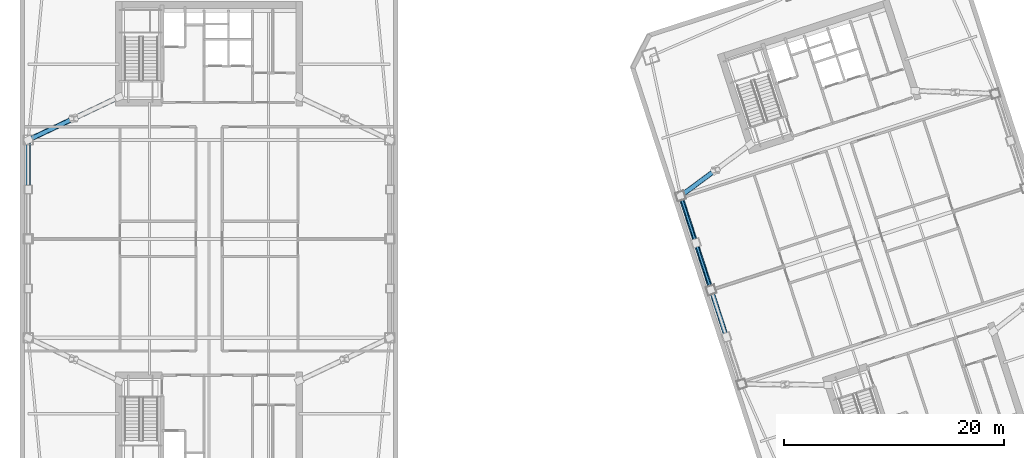
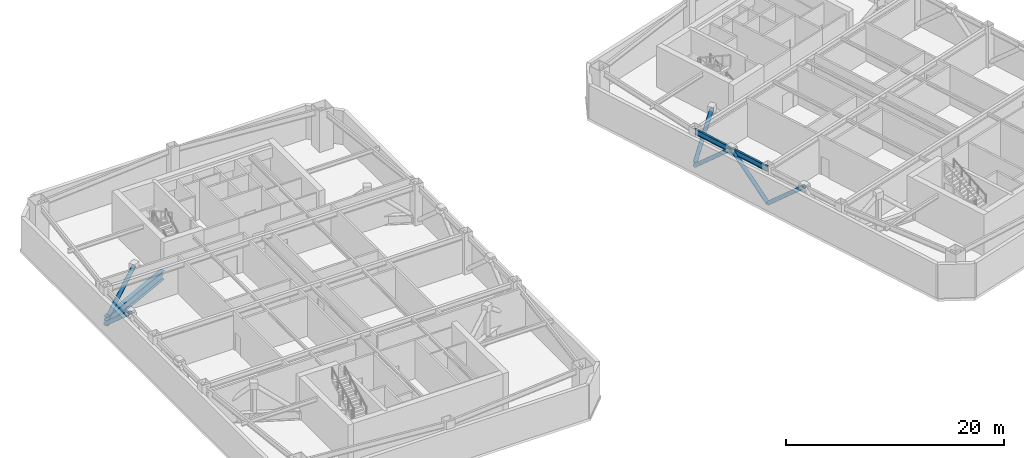
# One storey, part 4 of 17: 6 members, 2 beams.
"""IFC4 building model written with IfcOpenShell, lengths in metres."""

import ifcopenshell
import ifcopenshell.guid

model = None  # the IFC model being written
_history = None  # IfcOwnerHistory: only IFC2X3 demands one
_inside = {}  # id of a spatial element -> (the spatial element, [elements in it])
_under = {}  # id of a project, library or spatial element -> (it, [spatial elements below it])
_declared = {}  # id of a project -> (the project, [libraries it declares])
_typed = {}  # id of a type object -> (the type object, [elements of that type])
_made_of = {}  # id of a material, layer set ... -> (it, [elements and type objects made of it])


def new_model(schema):
    """Start an empty IFC model of exactly this schema.

    Asked for "IFC4X3", IfcOpenShell would pick the latest addendum, in which some entities
    have other attributes; the version numbers below select the first issue.
    IFC2X3 requires an IfcOwnerHistory on every rooted entity: one is made here for all.
    """
    global model, _history
    if schema == "IFC4X3":
        model = ifcopenshell.file(schema_version=(4, 3, 0, 0))
    else:
        model = ifcopenshell.file(schema=schema)
    _inside.clear()
    _under.clear()
    _declared.clear()
    _typed.clear()
    _made_of.clear()
    _history = None
    if model.schema == "IFC2X3":
        org = make("IfcOrganization", Name="unknown")
        user = make(
            "IfcPersonAndOrganization",
            ThePerson=make("IfcPerson", FamilyName="unknown"),
            TheOrganization=org,
        )
        app = make(
            "IfcApplication",
            ApplicationDeveloper=org,
            Version="unknown",
            ApplicationFullName="unknown",
            ApplicationIdentifier="unknown",
        )
        _history = make(
            "IfcOwnerHistory",
            OwningUser=user,
            OwningApplication=app,
            ChangeAction="ADDED",
            CreationDate=0,
        )
    return model


def make(cls, **values):
    """One entity of the class cls with the attributes given. An attribute that is None is left unset."""
    return model.create_entity(
        cls, **{name: value for name, value in values.items() if value is not None}
    )


def rooted(cls, **values):
    """An entity with a GlobalId (a new one), such as an element, a storey or a relation."""
    return make(cls, GlobalId=ifcopenshell.guid.new(), OwnerHistory=_history, **values)


def si_unit(unit_type, name, prefix=None):
    """IfcSIUnit, for example si_unit("LENGTHUNIT", "METRE", prefix="MILLI")."""
    return make("IfcSIUnit", UnitType=unit_type, Prefix=prefix, Name=name)


def assignment(units):
    """IfcUnitAssignment: the units of a project."""
    return None if units is None else make("IfcUnitAssignment", Units=units)


def point(xyz):
    """IfcCartesianPoint."""
    return None if xyz is None else make("IfcCartesianPoint", Coordinates=xyz)


def direction(xyz):
    """IfcDirection."""
    return None if xyz is None else make("IfcDirection", DirectionRatios=xyz)


def frame(location, z_axis=None, x_axis=None):
    """IfcAxis2Placement3D, a coordinate frame: its origin and axes. An axis left out is left unset."""
    return make(
        "IfcAxis2Placement3D",
        Location=point(location),
        Axis=direction(z_axis),
        RefDirection=direction(x_axis),
    )


def frame_2d(location, x_axis=None):
    """IfcAxis2Placement2D, a coordinate frame in the plane: its origin and x axis."""
    return make(
        "IfcAxis2Placement2D", Location=point(location), RefDirection=direction(x_axis)
    )


def origin():
    """The frame at (0, 0, 0) with its axes left unset."""
    return frame((0.0, 0.0, 0.0))


def origin_2d():
    """The frame at (0, 0) in the plane with its x axis left unset."""
    return frame_2d((0.0, 0.0))


def place(relative_to, where):
    """IfcLocalPlacement: puts the frame where relative to a parent placement (None: the world)."""
    return make(
        "IfcLocalPlacement", PlacementRelTo=relative_to, RelativePlacement=where
    )


def context(
    kind, dimensions, precision=None, world=None, true_north=None, identifier=None
):
    """IfcGeometricRepresentationContext, for example the 3D "Model" context."""
    return make(
        "IfcGeometricRepresentationContext",
        ContextIdentifier=identifier,
        ContextType=kind,
        CoordinateSpaceDimension=dimensions,
        Precision=precision,
        WorldCoordinateSystem=world,
        TrueNorth=true_north,
    )


def subcontext(parent, identifier, kind, view, scale=None):
    """IfcGeometricRepresentationSubContext, for example "Body" below "Model"."""
    return make(
        "IfcGeometricRepresentationSubContext",
        ContextIdentifier=identifier,
        ContextType=kind,
        ParentContext=parent,
        TargetScale=scale,
        TargetView=view,
    )


def project(units=None, contexts=None):
    """IfcProject with its units and contexts."""
    return rooted(
        "IfcProject",
        Name="project",
        RepresentationContexts=contexts,
        UnitsInContext=assignment(units),
    )


def spatial(cls, under=None, at=None, **own):
    """A site, building, storey or space (cls), placed at a placement, below another one or the project."""
    s = rooted(cls, ObjectPlacement=at, **own)
    if under is not None:
        _under.setdefault(under.id(), (under, []))[1].append(s)
    return s


def profile(cls, at=None, kind="AREA", **sizes):
    """A parametric profile (cls). Its sizes go by their IFC names, for example OverallWidth=200.0."""
    return make(cls, ProfileType=kind, Position=at, **sizes)


def hollow_circle(**sizes):
    """IfcCircleHollowProfileDef."""
    return profile("IfcCircleHollowProfileDef", **sizes)


def i_section(**sizes):
    """IfcIShapeProfileDef."""
    return profile("IfcIShapeProfileDef", **sizes)


def extrude(swept, where, along, depth):
    """IfcExtrudedAreaSolid: the profile swept, set in the frame where, extruded along a direction by depth."""
    return make(
        "IfcExtrudedAreaSolid",
        SweptArea=swept,
        Position=where,
        ExtrudedDirection=direction(along),
        Depth=depth,
    )


def shape(context_of_items, identifier, shape_type, items):
    """IfcShapeRepresentation: the items that make up one representation, for example the "Body"."""
    return make(
        "IfcShapeRepresentation",
        ContextOfItems=context_of_items,
        RepresentationIdentifier=identifier,
        RepresentationType=shape_type,
        Items=items,
    )


def material(Name=None, Category=None):
    """IfcMaterial."""
    return make("IfcMaterial", Name=Name, Category=Category)


def material_profile(
    of_material, cross_section, Name=None, Category=None, Priority=None
):
    """IfcMaterialProfile: a cross section and its material."""
    return make(
        "IfcMaterialProfile",
        Name=Name,
        Material=of_material,
        Profile=cross_section,
        Priority=Priority,
        Category=Category,
    )


def profile_set(profiles, Name=None, composite=None):
    """IfcMaterialProfileSet."""
    return make(
        "IfcMaterialProfileSet",
        Name=Name,
        MaterialProfiles=profiles,
        CompositeProfile=composite,
    )


def made_of(thing, what):
    """Note that an element or type object is made of a material, layer set ...; save() writes the relation."""
    if what is not None:
        _made_of.setdefault(what.id(), (what, []))[1].append(thing)
    return thing


def type_object(cls, material=None, **own):
    """A type object (cls), such as IfcWallType, which elements share."""
    return made_of(rooted(cls, **own), material)


def element(
    cls,
    number,
    at=None,
    inside=None,
    cuts=None,
    type_object=None,
    material=None,
    context=None,
    identifier="Body",
    shape_type=None,
    held_by="IfcProductDefinitionShape",
    body=None,
    shapes=None,
    **own,
):
    """One element of the class cls, such as IfcWall. Its Tag is "e" and its number.

    at: its placement. inside: the storey or other place that contains it. cuts: it is an
    opening in that element (IfcRelVoidsElement). A single representation is given by context,
    identifier, shape_type and body (its items); several are given by shapes. held_by: the class
    of the entity that holds the representations. save() writes the other relations.
    """
    e = rooted(cls, Tag="e%d" % number, ObjectPlacement=at, **own)
    if body is not None:
        shapes = [shape(context, identifier, shape_type, body)]
    if shapes is not None:
        e.Representation = make(held_by, Representations=shapes)
    if inside is not None:
        _inside.setdefault(inside.id(), (inside, []))[1].append(e)
    if cuts is not None:
        rooted(
            "IfcRelVoidsElement", RelatingBuildingElement=cuts, RelatedOpeningElement=e
        )
    if type_object is not None:
        _typed.setdefault(type_object.id(), (type_object, []))[1].append(e)
    return made_of(e, material)


def aggregate(whole, parts):
    """IfcRelAggregates: a whole, such as a stair, and the parts it consists of."""
    return rooted("IfcRelAggregates", RelatingObject=whole, RelatedObjects=parts)


def save(model, path):
    """Write the relations noted so far, then the file.

    IfcRelAggregates (storeys below a building ...), IfcRelContainedInSpatialStructure (elements
    in a storey), IfcRelDefinesByType, IfcRelAssociatesMaterial and IfcRelDeclares: one each for
    every whole, place, type object, material and project.
    """
    for whole, parts in _under.values():
        aggregate(whole, parts)
    for where, things in _inside.values():
        rooted(
            "IfcRelContainedInSpatialStructure",
            RelatedElements=things,
            RelatingStructure=where,
        )
    for kind, things in _typed.values():
        rooted("IfcRelDefinesByType", RelatedObjects=things, RelatingType=kind)
    for what, things in _made_of.values():
        rooted("IfcRelAssociatesMaterial", RelatedObjects=things, RelatingMaterial=what)
    for by, libraries in _declared.values():
        rooted("IfcRelDeclares", RelatingContext=by, RelatedDefinitions=libraries)
    model.write(path)


model = new_model("IFC4")

# Units and contexts
model_context = context("Model", 3, precision=1e-05, world=origin(), true_north=direction((0.0, 1.0)))
body_context = subcontext(model_context, "Body", "Model", "MODEL_VIEW")
ifc_project = project(units=[si_unit("LENGTHUNIT", "METRE"), si_unit("AREAUNIT", "SQUARE_METRE"), si_unit("VOLUMEUNIT", "CUBIC_METRE"), si_unit("PLANEANGLEUNIT", "RADIAN"), si_unit("MASSUNIT", "GRAM", prefix="KILO")], contexts=[model_context])

# Site, building, storey
site_placement = place(None, origin())
site = spatial("IfcSite", under=ifc_project, at=site_placement, CompositionType="ELEMENT")
building_placement = place(site_placement, origin())
building = spatial("IfcBuilding", under=site, at=building_placement, Name="Qiaolan Cultural Towers", CompositionType="ELEMENT")
storey_placement = place(building_placement, frame((0.0, 0.0, 184.0)))
storey = spatial("IfcBuildingStorey", under=building, at=storey_placement, Name="L49", CompositionType="ELEMENT", Elevation=184.0)

# Beams
ifc_material_1 = material(Name="Steel Q390GJB", Category="steel")
ifc_material_profile_1 = material_profile(ifc_material_1, i_section(OverallWidth=0.449951171875, OverallDepth=1.0, WebThickness=0.02392578125, FlangeThickness=0.0400390625, at=origin_2d()), Name="BH1000x450x24x40")
ifc_profile_set_1 = profile_set([ifc_material_profile_1], Name="Steel Q390GJB")
beam_type_1 = type_object("IfcBeamType", Name="BM-BH1000x450x24x40", PredefinedType="BEAM", material=ifc_profile_set_1)
beam_1_placement = place(storey_placement, frame((21.800048828125, 46.89990234375, 0.5), z_axis=(-0.904076401393, -0.427370869906, 0.0), x_axis=(0.427370869906, -0.904076401393, 0.0)))
element("IfcBeam", 1, at=beam_1_placement, inside=storey, type_object=beam_type_1, Name="L49 T1 Outrigger Bottom Chord Girder WN", PredefinedType="BEAM", context=body_context, shape_type="SweptSolid", body=[
    extrude(i_section(OverallWidth=0.449951171875, OverallDepth=1.0, WebThickness=0.02392578125, FlangeThickness=0.0400390625, at=origin_2d()), origin(), (0.0, 0.0, 1.0), 9.125244140625),
])
ifc_material_2 = material(Name="Steel Q355B", Category="steel")
ifc_material_profile_2 = material_profile(ifc_material_2, i_section(OverallWidth=0.199951171875, OverallDepth=0.60009765625, WebThickness=0.010986328125, FlangeThickness=0.01708984375, at=origin_2d()), Name="HN600x200x11x17")
ifc_profile_set_2 = profile_set([ifc_material_profile_2], Name="Steel Q355B")
beam_type_2 = type_object("IfcBeamType", Name="BM-SPD-HN600x200x11x17", PredefinedType="SPANDREL", material=ifc_profile_set_2)
beam_2_placement = place(storey_placement, frame((72.905517578125, 37.90869140625, 4.0400390625), z_axis=(0.309008170129, -0.951059383421, 0.0), x_axis=(0.951059383421, 0.309008170129, 0.0)))
element("IfcBeam", 2, at=beam_2_placement, inside=storey, type_object=beam_type_2, Name="L49 T2 Perimeter Spandrel Beam 10", PredefinedType="SPANDREL", context=body_context, shape_type="SweptSolid", body=[
    extrude(i_section(OverallWidth=0.199951171875, OverallDepth=0.60009765625, WebThickness=0.010986328125, FlangeThickness=0.01708984375, at=origin_2d()), origin(), (0.0, 0.0, 1.0), 8.999755859375),
])

# Members
ifc_material_3 = material(Name="Steel Q355B", Category="steel")
ifc_material_profile_3 = material_profile(ifc_material_3, hollow_circle(Radius=0.212890625, WallThickness=0.02001953125, at=origin_2d()), Name="CHS426x20")
ifc_profile_set_3 = profile_set([ifc_material_profile_3], Name="Steel Q355B")
member_type = type_object("IfcMemberType", Name="MBR-BRC-CHS426x20", PredefinedType="BRACE", material=ifc_profile_set_3)
member_1_placement = place(storey_placement, frame((17.675048828125, 44.949951171875, 4.080078125), z_axis=(-0.711260877954, -0.336223995751, -0.617301699474), x_axis=(0.427370869906, -0.904076401393, 0.0)))
element("IfcMember", 3, at=member_1_placement, inside=storey, type_object=member_type, Name="L49 T1 Outrigger Truss Diagonal WN-2", PredefinedType="BRACE", context=body_context, shape_type="SweptSolid", body=[
    extrude(hollow_circle(Radius=0.212890625, WallThickness=0.02001953125, at=origin_2d()), origin(), (0.0, 0.0, 1.0), 5.799560546875),
])
member_2_placement = place(storey_placement, frame((13.550048828125, 38.5, 4.179931640625), z_axis=(0.0, 0.749061716489, -0.662500222559), x_axis=(-1.0, 0.0, 0.0)))
element("IfcMember", 4, at=member_2_placement, inside=storey, type_object=member_type, Name="L49 T1 Perimeter Belt Truss W2-B", PredefinedType="BRACE", context=body_context, shape_type="SweptSolid", body=[
    extrude(hollow_circle(Radius=0.212890625, WallThickness=0.02001953125, at=origin_2d()), origin(), (0.0, 0.0, 1.0), 6.007568359375),
])
member_3_placement = place(storey_placement, frame((76.061767578125, 40.248779296875, 4.080078125), z_axis=(-0.593778714491, -0.440235843007, -0.673512613652), x_axis=(0.595576701682, -0.80329844542, 0.0)))
element("IfcMember", 5, at=member_3_placement, inside=storey, type_object=member_type, Name="L49 T2 Outrigger Truss Diagonal WN-2", PredefinedType="BRACE", context=body_context, shape_type="SweptSolid", body=[
    extrude(hollow_circle(Radius=0.212890625, WallThickness=0.02001953125, at=origin_2d()), origin(), (0.0, 0.0, 1.0), 5.3154296875),
])
for number, where, z_axis, x_axis, name in (
    (6, (77.0771484375, 25.069580078125, 4.179931640625), (-0.231479598497, 0.712401222199, -0.662496561568), (-0.951054001411, -0.309024734286, 0.0), "L49 T2 Perimeter Belt Truss W1-B"),
    (7, (75.6865234375, 29.349365234375, 0.199951171875), (-0.23144113653, 0.71240792333, 0.662502793276), (-0.951069945308, -0.308975661068, 0.0), "L49 T2 Perimeter Belt Truss W2-A"),
):
    element("IfcMember", number, at=place(storey_placement, frame(where, z_axis=z_axis, x_axis=x_axis)), inside=storey, type_object=member_type, Name=name, PredefinedType="BRACE", context=body_context, shape_type="SweptSolid", body=[
        extrude(hollow_circle(Radius=0.212890625, WallThickness=0.02001953125, at=origin_2d()), origin(), (0.0, 0.0, 1.0), 6.007568359375),
    ])
member_4_placement = place(storey_placement, frame((74.296142578125, 33.629150390625, 4.179931640625), z_axis=(-0.231486300221, 0.712381207265, -0.662515741961), x_axis=(-0.951048820056, -0.309040679961, 0.0)))
element("IfcMember", 8, at=member_4_placement, inside=storey, type_object=member_type, Name="L49 T2 Perimeter Belt Truss W2-B", PredefinedType="BRACE", context=body_context, shape_type="SweptSolid", body=[
    extrude(hollow_circle(Radius=0.212890625, WallThickness=0.02001953125, at=origin_2d()), origin(), (0.0, 0.0, 1.0), 6.00732421875),
])

save(model, "model.ifc")
